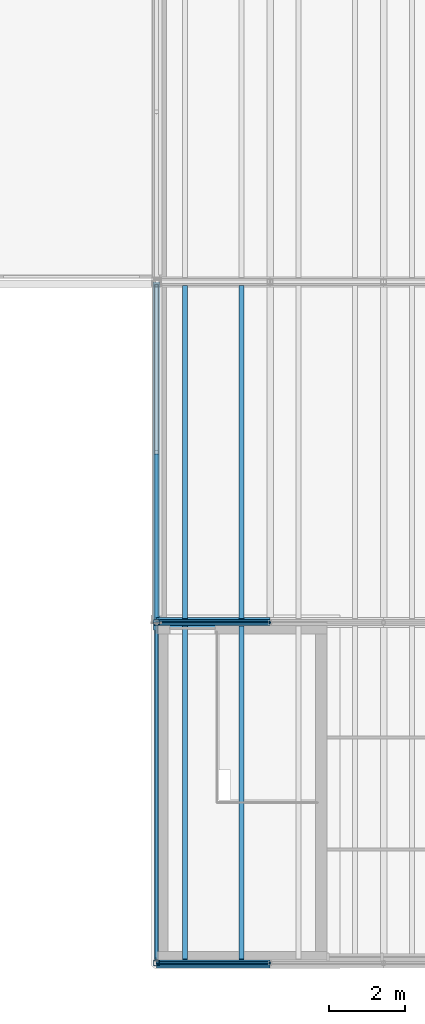
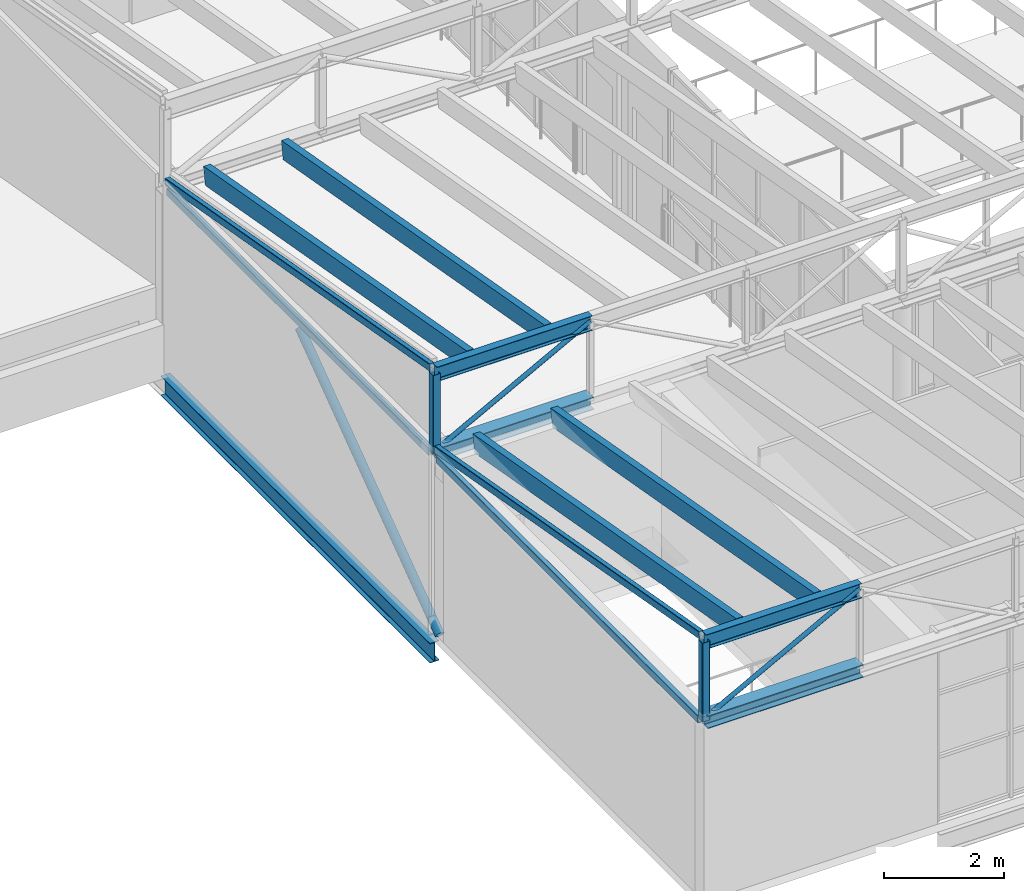
# One storey, part 5 of 44: 17 members, 1 beam.
"""IFC4 building model written with IfcOpenShell, lengths in metres."""

from ifc_helpers import new_model, si_unit, direction, frame, origin, origin_2d, place, context, subcontext, project, spatial, rectangle, hollow_rectangle, hollow_circle, i_section, extrude, material, material_profile, profile_set, type_object, element, save


model = new_model("IFC4")

# Units and contexts
model_context = context("Model", 3, precision=1e-05, world=origin(), true_north=direction((0.0, 1.0)))
body_context = subcontext(model_context, "Body", "Model", "MODEL_VIEW")
ifc_project = project(units=[si_unit("LENGTHUNIT", "METRE"), si_unit("AREAUNIT", "SQUARE_METRE"), si_unit("VOLUMEUNIT", "CUBIC_METRE"), si_unit("PLANEANGLEUNIT", "RADIAN"), si_unit("MASSUNIT", "GRAM", prefix="KILO")], contexts=[model_context])

# Site, building, storey
site_placement = place(None, origin())
site = spatial("IfcSite", under=ifc_project, at=site_placement, CompositionType="ELEMENT")
building_placement = place(site_placement, origin())
building = spatial("IfcBuilding", under=site, at=building_placement, Name="Halyard Row Museum", CompositionType="ELEMENT")
storey_placement = place(building_placement, frame((0.0, 0.0, 21.199951171875)))
storey = spatial("IfcBuildingStorey", under=building, at=storey_placement, Name="L04", CompositionType="ELEMENT", Elevation=21.199951171875)

# Member
ifc_material_1 = material(Name="Steel Grade C350L0", Category="steel")
ifc_material_profile_1 = material_profile(ifc_material_1, hollow_circle(Radius=0.084228515625, WallThickness=0.007080078125, at=origin_2d()), Name="168.3x7.1CHS")
ifc_profile_set_1 = profile_set([ifc_material_profile_1], Name="Steel Grade C350L0")
member_type_1 = type_object("IfcMemberType", Name="Brace 168.3x7.1CHS", PredefinedType="BRACE", material=ifc_profile_set_1)
member_1_placement = place(storey_placement, frame((72.0, 8.830078125, 0.084228515625), z_axis=(0.0, 0.806288391424, 0.591522636807), x_axis=(-1.0, 0.0, 0.0)))
element("IfcMember", 1, at=member_1_placement, inside=storey, type_object=member_type_1, Name="Brace L04 X72 9-18 A", PredefinedType="BRACE", context=body_context, shape_type="SweptSolid", body=[
    extrude(hollow_circle(Radius=0.084228515625, WallThickness=0.007080078125, at=origin_2d()), origin(), (0.0, 0.0, 1.0), 5.7919921875),
])

# Beam
ifc_material_2 = material(Name="Steel Grade 300", Category="steel")
ifc_material_profile_2 = material_profile(ifc_material_2, i_section(OverallWidth=0.177978515625, OverallDepth=0.402587890625, WebThickness=0.007568359375, FlangeThickness=0.010986328125, FilletRadius=0.011474609375, at=origin_2d()), Name="410UB53.7")
ifc_profile_set_2 = profile_set([ifc_material_profile_2], Name="Steel Grade 300")
beam_type = type_object("IfcBeamType", Name="Edge beam 410UB53.7", PredefinedType="BEAM", material=ifc_profile_set_2)
beam_placement = place(storey_placement, frame((72.0, 9.0, -0.3662109375), z_axis=(0.0, 1.0, 0.0), x_axis=(-1.0, 0.0, 0.0)))
element("IfcBeam", 2, at=beam_placement, inside=storey, type_object=beam_type, Name="Beam L04-019", PredefinedType="BEAM", context=body_context, shape_type="SweptSolid", body=[
    extrude(i_section(OverallWidth=0.177978515625, OverallDepth=0.402587890625, WebThickness=0.007568359375, FlangeThickness=0.010986328125, FilletRadius=0.011474609375, at=origin_2d()), origin(), (0.0, 0.0, 1.0), 9.0),
])

# Members
ifc_material_3 = material(Name="Steel Grade C350L0", Category="steel")
ifc_material_profile_3 = material_profile(ifc_material_3, hollow_rectangle(XDim=0.10009765625, YDim=0.14990234375, WallThickness=0.006103515625, InnerFilletRadius=0.009033203125, OuterFilletRadius=0.014892578125, at=origin_2d()), Name="150x100x6.0RHS")
ifc_profile_set_3 = profile_set([ifc_material_profile_3], Name="Steel Grade C350L0")
member_type_2 = type_object("IfcMemberType", Name="Gable end chord 150x100x6.0RHS", PredefinedType="CHORD", material=ifc_profile_set_3)
member_2_placement = place(storey_placement, frame((72.0, 0.126953125, 3.647705078125), z_axis=(0.0, 1.0, 0.0), x_axis=(-1.0, 0.0, 0.0)))
element("IfcMember", 3, at=member_2_placement, inside=storey, type_object=member_type_2, Name="V2-GW1 eave chord", PredefinedType="CHORD", context=body_context, shape_type="SweptSolid", body=[
    extrude(hollow_rectangle(XDim=0.10009765625, YDim=0.14990234375, WallThickness=0.006103515625, InnerFilletRadius=0.009033203125, OuterFilletRadius=0.014892578125, at=origin_2d()), origin(), (0.0, 0.0, 1.0), 8.74609375),
])
member_3_placement = place(storey_placement, frame((72.0, 9.126953125, 3.647705078125), z_axis=(0.0, 1.0, 0.0), x_axis=(-1.0, 0.0, 0.0)))
element("IfcMember", 4, at=member_3_placement, inside=storey, type_object=member_type_2, Name="V2-GW2 eave chord", PredefinedType="CHORD", context=body_context, shape_type="SweptSolid", body=[
    extrude(hollow_rectangle(XDim=0.10009765625, YDim=0.14990234375, WallThickness=0.006103515625, InnerFilletRadius=0.009033203125, OuterFilletRadius=0.014892578125, at=origin_2d()), origin(), (0.0, 0.0, 1.0), 8.7451171875),
])
ifc_material_4 = material(Name="Steel Grade C350L0", Category="steel")
ifc_material_profile_4 = material_profile(ifc_material_4, hollow_rectangle(XDim=0.10009765625, YDim=0.14990234375, WallThickness=0.006103515625, InnerFilletRadius=0.009033203125, OuterFilletRadius=0.014892578125, at=origin_2d()), Name="150x100x6.0RHS")
ifc_profile_set_4 = profile_set([ifc_material_profile_4], Name="Steel Grade C350L0")
member_type_3 = type_object("IfcMemberType", Name="Gable end rafter 150x100x6.0RHS", PredefinedType="RAFTER", material=ifc_profile_set_4)
for number, where, z_axis, x_axis, name in (
    (5, (72.0, 0.074951171875, 5.390625), (0.0, 0.984559907364, -0.175047961461), (-1.0, 0.0, 0.0), "V2-GW1 raking rafter"),
    (6, (72.0, 9.074951171875, 5.390625), (0.0, 0.984559907364, -0.175047961461), (-1.0, 0.0, 0.0), "V2-GW2 raking rafter"),
):
    element("IfcMember", number, at=place(storey_placement, frame(where, z_axis=z_axis, x_axis=x_axis)), inside=storey, type_object=member_type_3, Name=name, PredefinedType="RAFTER", context=body_context, shape_type="SweptSolid", body=[
        extrude(hollow_rectangle(XDim=0.10009765625, YDim=0.14990234375, WallThickness=0.006103515625, InnerFilletRadius=0.009033203125, OuterFilletRadius=0.014892578125, at=origin_2d()), origin(), (0.0, 0.0, 1.0), 8.98876953125),
    ])
ifc_material_5 = material(Name="Glulam GL12 radiata pine", Category="wood")
ifc_material_profile_5 = material_profile(ifc_material_5, rectangle(XDim=0.135009765625, YDim=0.360107421875, at=origin_2d()), Name="GL12 135x360")
ifc_profile_set_5 = profile_set([ifc_material_profile_5], Name="Glulam GL12 radiata pine")
member_type_4 = type_object("IfcMemberType", Name="Rafter GL12 135x360", PredefinedType="RAFTER", material=ifc_profile_set_5)
for number, where, z_axis, x_axis, name in (
    (7, (72.75, 0.074462890625, 5.283935546875), (0.0, 0.984562193919, -0.175035100209), (-1.0, 0.0, 0.0), "Rafter V2-T1a.1"),
    (8, (74.25, 0.074462890625, 5.283935546875), (0.0, 0.984562193919, -0.175035100209), (-1.0, 0.0, 0.0), "Rafter V2-T1a.2"),
):
    element("IfcMember", number, at=place(storey_placement, frame(where, z_axis=z_axis, x_axis=x_axis)), inside=storey, type_object=member_type_4, Name=name, PredefinedType="RAFTER", context=body_context, shape_type="SweptSolid", body=[
        extrude(rectangle(XDim=0.135009765625, YDim=0.360107421875, at=origin_2d()), origin(), (0.0, 0.0, 1.0), 8.9365234375),
    ])
for number, where, z_axis, x_axis, name in (
    (9, (72.75, 9.074462890625, 5.283935546875), (0.0, 0.984563554103, -0.17502744908), (-1.0, 0.0, 0.0), "Rafter V2-T2a.1"),
    (10, (74.25, 9.074462890625, 5.283935546875), (0.0, 0.984563554103, -0.17502744908), (-1.0, 0.0, 0.0), "Rafter V2-T2a.2"),
):
    element("IfcMember", number, at=place(storey_placement, frame(where, z_axis=z_axis, x_axis=x_axis)), inside=storey, type_object=member_type_4, Name=name, PredefinedType="RAFTER", context=body_context, shape_type="SweptSolid", body=[
        extrude(rectangle(XDim=0.135009765625, YDim=0.360107421875, at=origin_2d()), origin(), (0.0, 0.0, 1.0), 8.935546875),
    ])
ifc_material_6 = material(Name="Steel Grade 300", Category="steel")
ifc_material_profile_6 = material_profile(ifc_material_6, i_section(OverallWidth=0.25390625, OverallDepth=0.25390625, WebThickness=0.008544921875, FlangeThickness=0.01416015625, FilletRadius=0.013916015625, at=origin_2d()), Name="250UC72.9")
ifc_profile_set_6 = profile_set([ifc_material_profile_6], Name="Steel Grade 300")
member_type_5 = type_object("IfcMemberType", Name="Valley truss bottom chord 250UC72.9", PredefinedType="CHORD", material=ifc_profile_set_6)
for number, where, z_axis, x_axis, name in (
    (11, (72.0, 0.0, 3.72705078125), (1.0, 0.0, 0.0), (0.0, 1.0, 0.0), "V2-VT1 bottom chord 1.1"),
    (12, (72.0, 9.0, 3.72705078125), (1.0, 0.0, 0.0), (0.0, 1.0, 0.0), "V2-VT2 bottom chord 1.1"),
):
    element("IfcMember", number, at=place(storey_placement, frame(where, z_axis=z_axis, x_axis=x_axis)), inside=storey, type_object=member_type_5, Name=name, PredefinedType="CHORD", context=body_context, shape_type="SweptSolid", body=[
        extrude(i_section(OverallWidth=0.25390625, OverallDepth=0.25390625, WebThickness=0.008544921875, FlangeThickness=0.01416015625, FilletRadius=0.013916015625, at=origin_2d()), origin(), (0.0, 0.0, 1.0), 3.0),
    ])
ifc_material_7 = material(Name="Steel Grade C250L0", Category="steel")
ifc_material_profile_7 = material_profile(ifc_material_7, hollow_circle(Radius=0.04443359375, WallThickness=0.0048828125, at=origin_2d()), Name="88.9x5.0CHS")
ifc_profile_set_7 = profile_set([ifc_material_profile_7], Name="Steel Grade C250L0")
member_type_6 = type_object("IfcMemberType", Name="Valley truss diagonal 88.9x5.0CHS", PredefinedType="BRACE", material=ifc_profile_set_7)
for number, where, z_axis, x_axis, name in (
    (13, (72.0, 0.0, 3.72705078125), (0.881863759518, 0.0, 0.471504305016), (0.0, 1.0, 0.0), "V2-VT1 diagonal 1.1"),
    (14, (72.0, 9.0, 3.72705078125), (0.881863759518, 0.0, 0.471504305016), (0.0, 1.0, 0.0), "V2-VT2 diagonal 1.1"),
):
    element("IfcMember", number, at=place(storey_placement, frame(where, z_axis=z_axis, x_axis=x_axis)), inside=storey, type_object=member_type_6, Name=name, PredefinedType="BRACE", context=body_context, shape_type="SweptSolid", body=[
        extrude(hollow_circle(Radius=0.04443359375, WallThickness=0.0048828125, at=origin_2d()), origin(), (0.0, 0.0, 1.0), 3.40185546875),
    ])
ifc_material_8 = material(Name="Steel Grade C350L0", Category="steel")
ifc_material_profile_8 = material_profile(ifc_material_8, hollow_rectangle(XDim=0.14990234375, YDim=0.14990234375, WallThickness=0.006103515625, InnerFilletRadius=0.009033203125, OuterFilletRadius=0.014892578125, at=origin_2d()), Name="150x150x6.0SHS")
ifc_profile_set_8 = profile_set([ifc_material_profile_8], Name="Steel Grade C350L0")
member_type_7 = type_object("IfcMemberType", Name="Valley truss post 150x150x6.0SHS", PredefinedType="POST", material=ifc_profile_set_8)
for number, where, z_axis, x_axis, name in (
    (15, (72.0, 0.0, 3.72705078125), (0.0, 0.0, 1.0), (1.0, 0.0, 0.0), "V2-VT1 post 1.0"),
    (16, (72.0, 9.0, 3.72705078125), (0.0, 0.0, 1.0), (1.0, 0.0, 0.0), "V2-VT2 post 1.0"),
):
    element("IfcMember", number, at=place(storey_placement, frame(where, z_axis=z_axis, x_axis=x_axis)), inside=storey, type_object=member_type_7, Name=name, PredefinedType="POST", context=body_context, shape_type="SweptSolid", body=[
        extrude(hollow_rectangle(XDim=0.14990234375, YDim=0.14990234375, WallThickness=0.006103515625, InnerFilletRadius=0.009033203125, OuterFilletRadius=0.014892578125, at=origin_2d()), origin(), (0.0, 0.0, 1.0), 1.60400390625),
    ])
ifc_material_9 = material(Name="Steel Grade 300", Category="steel")
ifc_material_profile_9 = material_profile(ifc_material_9, i_section(OverallWidth=0.14892578125, OverallDepth=0.298095703125, WebThickness=0.005615234375, FlangeThickness=0.008056640625, FilletRadius=0.012939453125, at=origin_2d()), Name="310UB32.0")
ifc_profile_set_9 = profile_set([ifc_material_profile_9], Name="Steel Grade 300")
member_type_8 = type_object("IfcMemberType", Name="Valley truss top chord 310UB32.0", PredefinedType="CHORD", material=ifc_profile_set_9)
for number, where, z_axis, x_axis, name in (
    (17, (72.0, 0.0, 5.3310546875), (1.0, 0.0, 0.0), (0.0, 1.0, 0.0), "V2-VT1 top chord 1.1"),
    (18, (72.0, 9.0, 5.3310546875), (1.0, 0.0, 0.0), (0.0, 1.0, 0.0), "V2-VT2 top chord 1.1"),
):
    element("IfcMember", number, at=place(storey_placement, frame(where, z_axis=z_axis, x_axis=x_axis)), inside=storey, type_object=member_type_8, Name=name, PredefinedType="CHORD", context=body_context, shape_type="SweptSolid", body=[
        extrude(i_section(OverallWidth=0.14892578125, OverallDepth=0.298095703125, WebThickness=0.005615234375, FlangeThickness=0.008056640625, FilletRadius=0.012939453125, at=origin_2d()), origin(), (0.0, 0.0, 1.0), 3.0),
    ])

save(model, "model.ifc")
